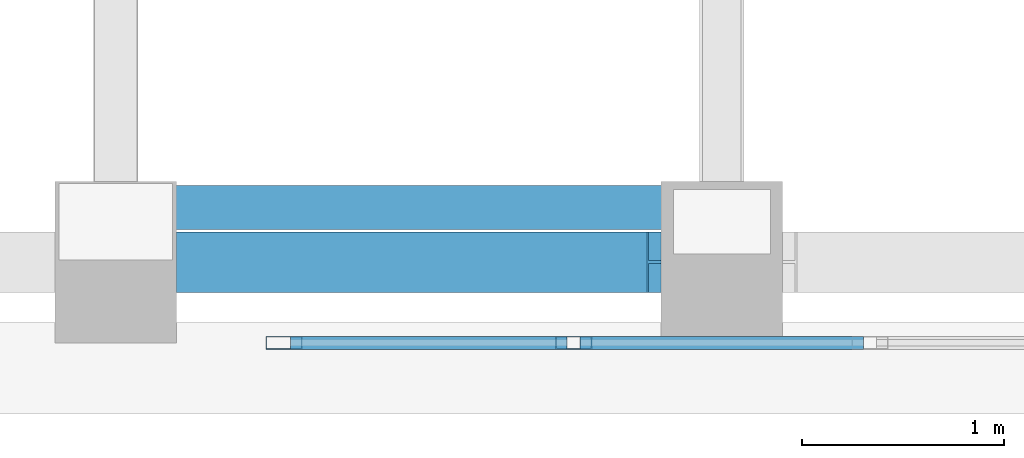
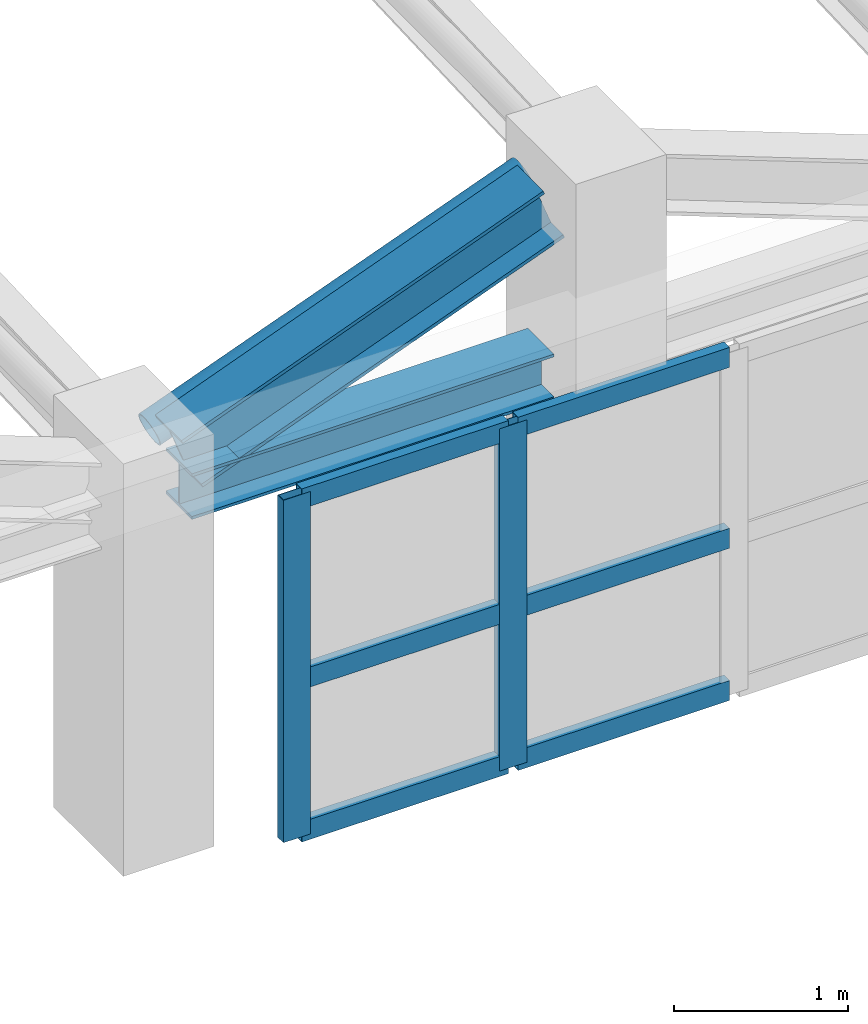
# One storey, part 23 of 128: 9 members, 2 beams, 1 element without a shape of its own.
"""IFC4 building model written with IfcOpenShell, lengths in metres."""

from ifc_helpers import new_model, si_unit, direction, frame, origin, origin_2d, place, context, subcontext, project, spatial, hollow_rectangle, hollow_circle, i_section, extrude, material, layer, layer_set, material_profile, profile_set, type_object, element, aggregate, save


model = new_model("IFC4")

# Units and contexts
model_context = context("Model", 3, precision=1e-05, world=origin(), true_north=direction((0.0, 1.0)))
body_context = subcontext(model_context, "Body", "Model", "MODEL_VIEW")
ifc_project = project(units=[si_unit("LENGTHUNIT", "METRE"), si_unit("AREAUNIT", "SQUARE_METRE"), si_unit("VOLUMEUNIT", "CUBIC_METRE"), si_unit("PLANEANGLEUNIT", "RADIAN"), si_unit("MASSUNIT", "GRAM", prefix="KILO")], contexts=[model_context])

# Site, building, storey
site_placement = place(None, origin())
site = spatial("IfcSite", under=ifc_project, at=site_placement, CompositionType="ELEMENT")
building_placement = place(site_placement, origin())
building = spatial("IfcBuilding", under=site, at=building_placement, Name="Keldmere Railside Commons", CompositionType="ELEMENT")
storey_placement = place(building_placement, frame((0.0, 0.0, 4.159912109375)))
storey = spatial("IfcBuildingStorey", under=building, at=storey_placement, Name="L01", CompositionType="ELEMENT", Elevation=4.159912109375)

# Curtain wall, members
ifc_material_1 = material(Name="Thermally Broken Aluminium", Category="aluminium")
ifc_layer = layer(ifc_material_1, 0.159912109375, Name="Community Hall Gable Clerestory CW 4400x2400")
ifc_layer_set = layer_set([ifc_layer], Name="Thermally Broken Aluminium")
curtain_wall_type = type_object("IfcCurtainWallType", Name="Community Hall Gable Clerestory CW 4400x2400", PredefinedType="NOTDEFINED", material=ifc_layer_set)
curtain_wall_placement = place(storey_placement, origin())
curtain_wall = element("IfcCurtainWall", 1, at=curtain_wall_placement, inside=storey, type_object=curtain_wall_type, Name="CW-07 CW-L01-212", PredefinedType="NOTDEFINED")
ifc_material_profile_1 = material_profile(ifc_material_1, hollow_rectangle(XDim=0.06494140625, YDim=0.179931640625, WallThickness=0.00390625, at=origin_2d()), Name="ALU-MULL-65x180")
ifc_profile_set_1 = profile_set([ifc_material_profile_1], Name="Thermally Broken Aluminium")
member_type_1 = type_object("IfcMemberType", Name="Civic Tall Curtain Wall Mullion 65x180", PredefinedType="MULLION", material=ifc_profile_set_1)
member_1_placement = place(storey_placement, frame((82.83251953125, 12.050048828125, -0.10986328125), z_axis=(0.0, 0.0, 1.0), x_axis=(0.0, 1.0, 0.0)))
member_1 = element("IfcMember", 2, at=member_1_placement, type_object=member_type_1, Name="CW-07 mullion 1", PredefinedType="MULLION", context=body_context, shape_type="SweptSolid", body=[
    extrude(hollow_rectangle(XDim=0.06494140625, YDim=0.179931640625, WallThickness=0.00390625, at=origin_2d()), origin(), (0.0, 0.0, 1.0), 2.39990234375),
])
member_2_placement = place(storey_placement, frame((84.2666015625, 12.050048828125, -0.10986328125), z_axis=(0.0, 0.0, 1.0), x_axis=(0.0, 1.0, 0.0)))
member_2 = element("IfcMember", 3, at=member_2_placement, type_object=member_type_1, Name="CW-07 mullion 2", PredefinedType="MULLION", context=body_context, shape_type="SweptSolid", body=[
    extrude(hollow_rectangle(XDim=0.06494140625, YDim=0.179931640625, WallThickness=0.00390625, at=origin_2d()), origin(), (0.0, 0.0, 1.0), 2.39990234375),
])
ifc_material_profile_2 = material_profile(ifc_material_1, hollow_rectangle(XDim=0.06494140625, YDim=0.139892578125, WallThickness=0.00390625, at=origin_2d()), Name="ALU-TRAN-65x140")
ifc_profile_set_2 = profile_set([ifc_material_profile_2], Name="Thermally Broken Aluminium")
member_type_2 = type_object("IfcMemberType", Name="Civic Tall Curtain Wall Transom 65x140", PredefinedType="USERDEFINED", material=ifc_profile_set_2)
member_3_placement = place(storey_placement, frame((82.864990234375, 12.050048828125, -0.077392578125), z_axis=(1.0, 0.0, 0.0), x_axis=(0.0, 1.0, 0.0)))
member_3 = element("IfcMember", 4, at=member_3_placement, type_object=member_type_2, Name="CW-07 transom 1.1", ObjectType="TRANSOM", PredefinedType="USERDEFINED", context=body_context, shape_type="SweptSolid", body=[
    extrude(hollow_rectangle(XDim=0.06494140625, YDim=0.139892578125, WallThickness=0.00390625, at=origin_2d()), origin(), (0.0, 0.0, 1.0), 1.369140625),
])
member_4_placement = place(storey_placement, frame((82.864990234375, 12.050048828125, 0.989990234375), z_axis=(1.0, 0.0, 0.0), x_axis=(0.0, 1.0, 0.0)))
member_4 = element("IfcMember", 5, at=member_4_placement, type_object=member_type_2, Name="CW-07 transom 1.2", ObjectType="TRANSOM", PredefinedType="USERDEFINED", context=body_context, shape_type="SweptSolid", body=[
    extrude(hollow_rectangle(XDim=0.06494140625, YDim=0.139892578125, WallThickness=0.00390625, at=origin_2d()), origin(), (0.0, 0.0, 1.0), 1.369140625),
])
member_5_placement = place(storey_placement, frame((82.864990234375, 12.050048828125, 2.257568359375), z_axis=(1.0, 0.0, 0.0), x_axis=(0.0, 1.0, 0.0)))
member_5 = element("IfcMember", 6, at=member_5_placement, type_object=member_type_2, Name="CW-07 transom 1.3", ObjectType="TRANSOM", PredefinedType="USERDEFINED", context=body_context, shape_type="SweptSolid", body=[
    extrude(hollow_rectangle(XDim=0.06494140625, YDim=0.139892578125, WallThickness=0.00390625, at=origin_2d()), origin(), (0.0, 0.0, 1.0), 1.369140625),
])
member_6_placement = place(storey_placement, frame((84.299072265625, 12.050048828125, -0.077392578125), z_axis=(1.0, 0.0, 0.0), x_axis=(0.0, 1.0, 0.0)))
member_6 = element("IfcMember", 7, at=member_6_placement, type_object=member_type_2, Name="CW-07 transom 2.1", ObjectType="TRANSOM", PredefinedType="USERDEFINED", context=body_context, shape_type="SweptSolid", body=[
    extrude(hollow_rectangle(XDim=0.06494140625, YDim=0.139892578125, WallThickness=0.00390625, at=origin_2d()), origin(), (0.0, 0.0, 1.0), 1.40185546875),
])
member_7_placement = place(storey_placement, frame((84.299072265625, 12.050048828125, 0.989990234375), z_axis=(1.0, 0.0, 0.0), x_axis=(0.0, 1.0, 0.0)))
member_7 = element("IfcMember", 8, at=member_7_placement, type_object=member_type_2, Name="CW-07 transom 2.2", ObjectType="TRANSOM", PredefinedType="USERDEFINED", context=body_context, shape_type="SweptSolid", body=[
    extrude(hollow_rectangle(XDim=0.06494140625, YDim=0.139892578125, WallThickness=0.00390625, at=origin_2d()), origin(), (0.0, 0.0, 1.0), 1.40185546875),
])
member_8_placement = place(storey_placement, frame((84.299072265625, 12.050048828125, 2.257568359375), z_axis=(1.0, 0.0, 0.0), x_axis=(0.0, 1.0, 0.0)))
member_8 = element("IfcMember", 9, at=member_8_placement, type_object=member_type_2, Name="CW-07 transom 2.3", ObjectType="TRANSOM", PredefinedType="USERDEFINED", context=body_context, shape_type="SweptSolid", body=[
    extrude(hollow_rectangle(XDim=0.06494140625, YDim=0.139892578125, WallThickness=0.00390625, at=origin_2d()), origin(), (0.0, 0.0, 1.0), 1.40185546875),
])
aggregate(curtain_wall, [member_1, member_2, member_3, member_4, member_5, member_6, member_7, member_8])

# Beams
ifc_material_2 = material(Name="Steel F-36 (S355)", Category="steel")
ifc_material_profile_3 = material_profile(ifc_material_2, i_section(OverallWidth=0.300048828125, OverallDepth=0.320068359375, WebThickness=0.011474609375, FlangeThickness=0.0205078125, at=origin_2d()), Name="HEB-320")
ifc_profile_set_3 = profile_set([ifc_material_profile_3], Name="Steel F-36 (S355)")
beam_type_1 = type_object("IfcBeamType", Name="Folded-Plate Eave Edge Beam HEB320", PredefinedType="BEAM", material=ifc_profile_set_3)
beam_1_placement = place(storey_placement, frame((82.300048828125, 12.449951171875, 2.300048828125), z_axis=(1.0, 0.0, 0.0), x_axis=(0.0, 1.0, 0.0)))
element("IfcBeam", 10, at=beam_1_placement, inside=storey, type_object=beam_type_1, Name="FPE-1 BM-L01-2607", PredefinedType="BEAM", context=body_context, shape_type="SweptSolid", body=[
    extrude(i_section(OverallWidth=0.300048828125, OverallDepth=0.320068359375, WebThickness=0.011474609375, FlangeThickness=0.0205078125, at=origin_2d()), origin(), (0.0, 0.0, 1.0), 2.39990234375),
])
ifc_material_profile_4 = material_profile(ifc_material_2, i_section(OverallWidth=0.300048828125, OverallDepth=0.39990234375, WebThickness=0.013427734375, FlangeThickness=0.02392578125, at=origin_2d()), Name="HEB-400")
ifc_profile_set_4 = profile_set([ifc_material_profile_4], Name="Steel F-36 (S355)")
beam_type_2 = type_object("IfcBeamType", Name="Folded-Plate End Diaphragm Girder HEB400", PredefinedType="BEAM", material=ifc_profile_set_4)
beam_2_placement = place(storey_placement, frame((82.300048828125, 12.449951171875, 2.530029296875), z_axis=(0.935017102345, 0.0, 0.354602620299), x_axis=(0.0, 1.0, 0.0)))
element("IfcBeam", 11, at=beam_2_placement, inside=storey, type_object=beam_type_2, Name="FPD-1 BM-L01-2613", PredefinedType="BEAM", context=body_context, shape_type="SweptSolid", body=[
    extrude(i_section(OverallWidth=0.300048828125, OverallDepth=0.39990234375, WebThickness=0.013427734375, FlangeThickness=0.02392578125, at=origin_2d()), origin(), (0.0, 0.0, 1.0), 2.566650390625),
])

# Member
ifc_material_profile_5 = material_profile(ifc_material_2, hollow_circle(Radius=0.109619140625, WallThickness=0.008056640625, at=origin_2d()), Name="CHS-219x8")
ifc_profile_set_5 = profile_set([ifc_material_profile_5], Name="Steel F-36 (S355)")
member_type_3 = type_object("IfcMemberType", Name="Hall Roof Lateral Diagonal Brace CHS219", PredefinedType="BRACE", material=ifc_profile_set_5)
member_9_placement = place(storey_placement, frame((82.260009765625, 12.719970703125, 2.530029296875), z_axis=(0.9363064477, 0.0, 0.351184048606), x_axis=(0.0, 1.0, 0.0)))
element("IfcMember", 12, at=member_9_placement, inside=storey, type_object=member_type_3, Name="BR-1 MEM-BR-012", PredefinedType="BRACE", context=body_context, shape_type="SweptSolid", body=[
    extrude(hollow_circle(Radius=0.109619140625, WallThickness=0.008056640625, at=origin_2d()), origin(), (0.0, 0.0, 1.0), 2.648681640625),
])

save(model, "model.ifc")
